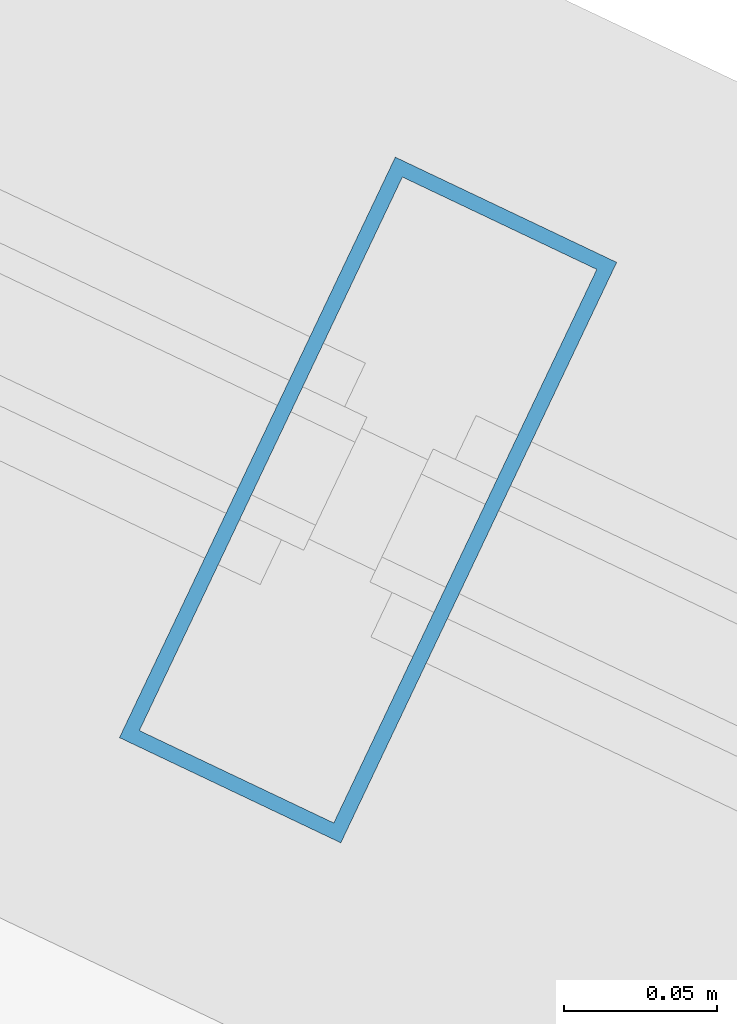
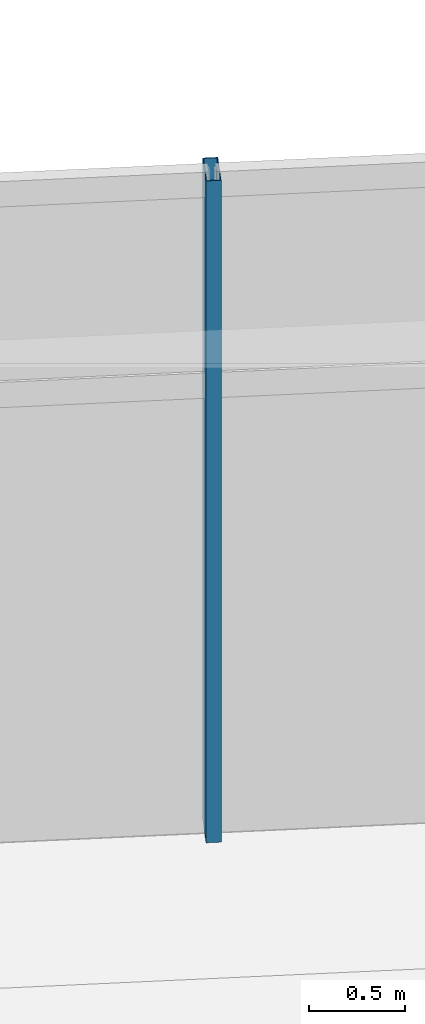
# One storey, part 136 of 184: 1 member, 1 element without a shape of its own.
"""IFC4 building model written with IfcOpenShell, lengths in metres."""

from ifc_helpers import new_model, si_unit, direction, frame, origin, origin_2d, place, context, subcontext, project, spatial, hollow_rectangle, extrude, material, layer, layer_set, material_profile, profile_set, type_object, element, aggregate, save


model = new_model("IFC4")

# Units and contexts
model_context = context("Model", 3, precision=1e-05, world=origin(), true_north=direction((0.0, 1.0)))
body_context = subcontext(model_context, "Body", "Model", "MODEL_VIEW")
ifc_project = project(units=[si_unit("LENGTHUNIT", "METRE"), si_unit("AREAUNIT", "SQUARE_METRE"), si_unit("VOLUMEUNIT", "CUBIC_METRE"), si_unit("PLANEANGLEUNIT", "RADIAN"), si_unit("MASSUNIT", "GRAM", prefix="KILO")], contexts=[model_context])

# Site, building, storey
site_placement = place(None, origin())
site = spatial("IfcSite", under=ifc_project, at=site_placement, CompositionType="ELEMENT")
building_placement = place(site_placement, origin())
building = spatial("IfcBuilding", under=site, at=building_placement, Name="Kazemori Nagisa Stadium", CompositionType="ELEMENT")
storey_placement = place(building_placement, frame((0.0, 0.0, 10.5400390625)))
storey = spatial("IfcBuildingStorey", under=building, at=storey_placement, Name="L02", CompositionType="ELEMENT", Elevation=10.5400390625)

# Curtain wall, member
ifc_material_1 = material(Name="Anodised aluminium 6063-T5", Category="aluminium")
ifc_layer = layer(ifc_material_1, 0.2099609375, Name="Anodised aluminium 6063-T5", Category="aluminium")
ifc_layer_set = layer_set([ifc_layer], Name="Anodised aluminium 6063-T5")
curtain_wall_type = type_object("IfcCurtainWallType", Name="CW_L02R3_105", PredefinedType="USERDEFINED", material=ifc_layer_set)
curtain_wall_placement = place(storey_placement, origin())
curtain_wall = element("IfcCurtainWall", 1, at=curtain_wall_placement, inside=storey, type_object=curtain_wall_type, Name="Unitised curtain wall CW-L02R3-105 L02", ObjectType="UNITISED CURTAIN WALL", PredefinedType="USERDEFINED")
ifc_material_2 = material(Name="Aluminium 6063-T5 anodised", Category="aluminium")
ifc_material_profile = material_profile(ifc_material_2, hollow_rectangle(XDim=0.080078125, YDim=0.2099609375, WallThickness=0.0048828125, at=origin_2d()), Name="ALU-MULL-80x210x5")
ifc_profile_set = profile_set([ifc_material_profile], Name="Aluminium 6063-T5 anodised")
member_type = type_object("IfcMemberType", Name="Mullion_M02", PredefinedType="MULLION", material=ifc_profile_set)
member_placement = place(storey_placement, frame((178.857177734375, 176.261962890625, 0.0), z_axis=(0.0, 0.0, 1.0), x_axis=(-0.903215892654, 0.429186499388, 0.0)))
member = element("IfcMember", 2, at=member_placement, type_object=member_type, Name="Curtain wall mullion CW-L02R3-105-M2", PredefinedType="MULLION", context=body_context, shape_type="SweptSolid", body=[
    extrude(hollow_rectangle(XDim=0.080078125, YDim=0.2099609375, WallThickness=0.0048828125, at=origin_2d()), origin(), (0.0, 0.0, 1.0), 4.18994140625),
])
aggregate(curtain_wall, [member])

save(model, "model.ifc")
